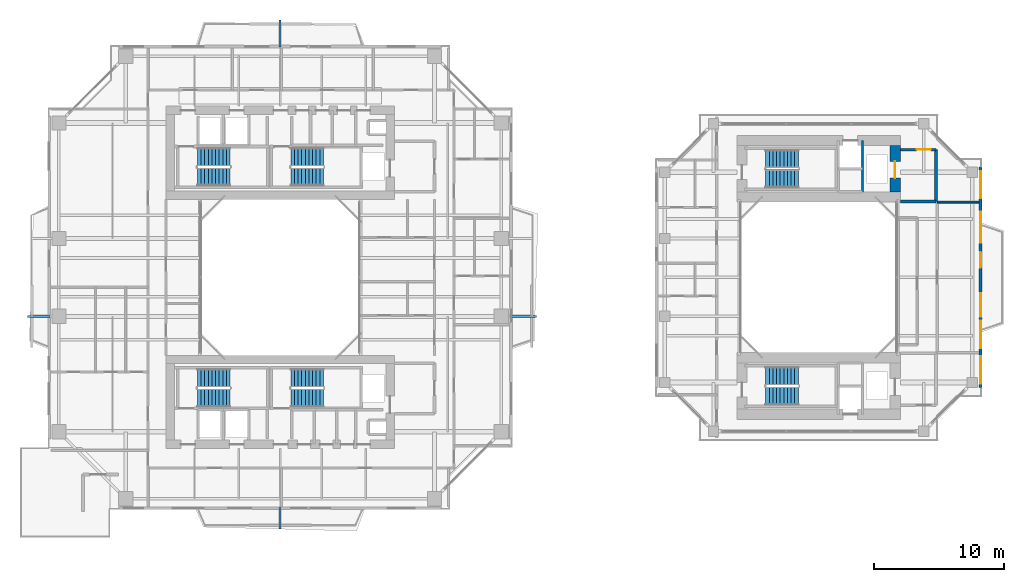
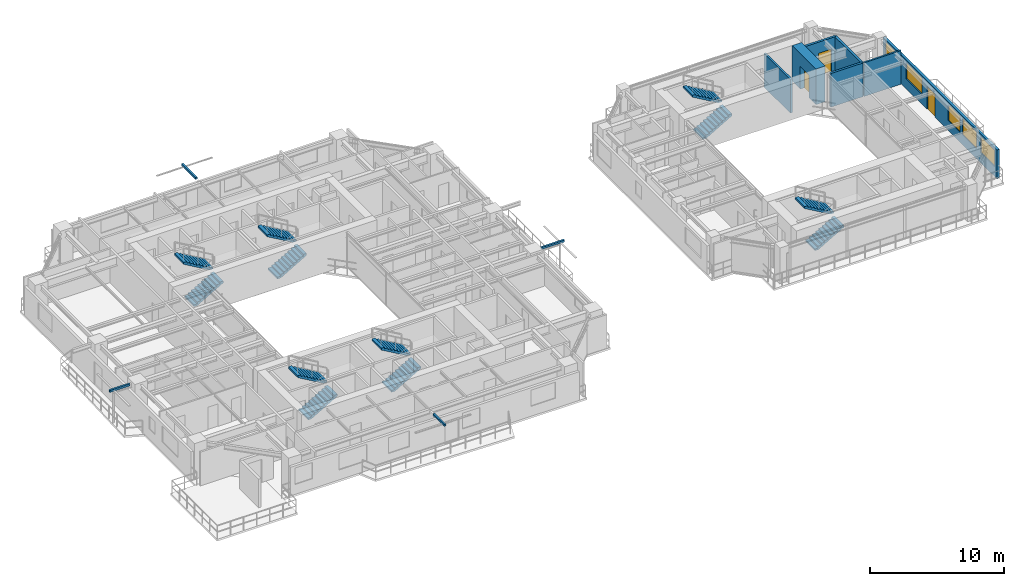
# One storey, part 18 of 23: 12 stair flights, 7 walls, 5 windows, 4 discrete accessories, 3 doors, 8 openings, 6 elements without a shape of their own.
"""IFC4 building model written with IfcOpenShell, lengths in metres."""

from ifc_helpers import new_model, si_unit, direction, frame, frame_2d, origin, origin_2d, place, context, subcontext, project, spatial, polyline, rectangle, outline, extrude, source, transform, mapped, material, layer, layer_set, type_object, element, fill, aggregate, save


model = new_model("IFC4")

# Units and contexts
model_context = context("Model", 3, precision=1e-05, world=origin(), true_north=direction((0.0, 1.0)))
body_context = subcontext(model_context, "Body", "Model", "MODEL_VIEW")
ifc_project = project(units=[si_unit("LENGTHUNIT", "METRE"), si_unit("AREAUNIT", "SQUARE_METRE"), si_unit("VOLUMEUNIT", "CUBIC_METRE"), si_unit("PLANEANGLEUNIT", "RADIAN"), si_unit("MASSUNIT", "GRAM", prefix="KILO"), si_unit("THERMODYNAMICTEMPERATUREUNIT", "KELVIN"), si_unit("POWERUNIT", "WATT")], contexts=[model_context])

# Site, building, storey
site_placement = place(None, origin())
site = spatial("IfcSite", under=ifc_project, at=site_placement, CompositionType="ELEMENT")
building_placement = place(site_placement, origin())
building = spatial("IfcBuilding", under=site, at=building_placement, Name="Qiaomeng Ring Towers", CompositionType="ELEMENT")
storey_placement = place(building_placement, frame((0.0, 0.0, 103.5)))
storey = spatial("IfcBuildingStorey", under=building, at=storey_placement, Name="L29", CompositionType="ELEMENT", Elevation=103.5)

# Wall, openings, windows, door
ifc_material_1 = material(Name="Precast concrete C40", Category="concrete")
ifc_layer_1 = layer(ifc_material_1, 0.219970703125, Name="Precast concrete C40")
ifc_layer_set_1 = layer_set([ifc_layer_1], Name="Precast concrete C40")
wall_type_1 = type_object("IfcWallType", Name="ARC-WL-EW2", PredefinedType="STANDARD", material=ifc_layer_set_1)
wall_1_placement = place(storey_placement, frame((72.989990234375, 14.5, 0.0), z_axis=(0.0, 0.0, 1.0), x_axis=(0.0, 1.0, 0.0)))
wall_1 = element("IfcWall", 1, at=wall_1_placement, inside=storey, type_object=wall_type_1, Name="L29 Companion East Wall", PredefinedType="STANDARD", context=body_context, shape_type="SweptSolid", body=[
    extrude(rectangle(XDim=17.0, YDim=0.219970703125, at=frame_2d((8.5, 0.0))), origin(), (0.0, 0.0, 1.0), 2.610107421875),
])
opening_1_placement = place(wall_1_placement, frame((9.25, 0.0, 0.0)))
opening_1 = element("IfcOpeningElement", 2, at=opening_1_placement, cuts=wall_1, Name="Opening BD1", PredefinedType="OPENING", context=body_context, shape_type="SweptSolid", body=[
    extrude(rectangle(XDim=1.199951171875, YDim=2.10009765625, at=frame_2d((0.60009765625, 1.050048828125))), frame((0.0, 0.119873046875, 0.0), z_axis=(0.0, -1.0, 0.0), x_axis=(1.0, 0.0, 0.0)), (0.0, 0.0, 1.0), 0.239990234375),
])
opening_2_placement = place(wall_1_placement, frame((0.3076171875, 0.0, 0.89990234375)))
opening_2 = element("IfcOpeningElement", 3, at=opening_2_placement, cuts=wall_1, Name="Opening WN4", PredefinedType="OPENING", context=body_context, shape_type="SweptSolid", body=[
    extrude(rectangle(XDim=2.10009765625, YDim=1.5, at=frame_2d((1.050048828125, 0.75))), frame((0.0, 0.119873046875, 0.0), z_axis=(0.0, -1.0, 0.0), x_axis=(1.0, 0.0, 0.0)), (0.0, 0.0, 1.0), 0.239990234375),
])
opening_3_placement = place(wall_1_placement, frame((5.47509765625, 0.0, 0.89990234375)))
opening_3 = element("IfcOpeningElement", 4, at=opening_3_placement, cuts=wall_1, Name="Opening WN1", PredefinedType="OPENING", context=body_context, shape_type="SweptSolid", body=[
    extrude(rectangle(XDim=1.800048828125, YDim=1.449951171875, at=frame_2d((0.89990234375, 0.72509765625))), frame((0.0, 0.119873046875, 0.0), z_axis=(0.0, -1.0, 0.0), x_axis=(1.0, 0.0, 0.0)), (0.0, 0.0, 1.0), 0.239990234375),
])
opening_4_placement = place(wall_1_placement, frame((14.592529296875, 0.0, 0.89990234375)))
opening_4 = element("IfcOpeningElement", 5, at=opening_4_placement, cuts=wall_1, Name="Opening WN4", PredefinedType="OPENING", context=body_context, shape_type="SweptSolid", body=[
    extrude(rectangle(XDim=2.10009765625, YDim=1.5, at=frame_2d((1.050048828125, 0.75))), frame((0.0, 0.119873046875, 0.0), z_axis=(0.0, -1.0, 0.0), x_axis=(1.0, 0.0, 0.0)), (0.0, 0.0, 1.0), 0.239990234375),
])
opening_5_placement = place(wall_1_placement, frame((3.054931640625, 0.0, 0.89990234375)))
opening_5 = element("IfcOpeningElement", 6, at=opening_5_placement, cuts=wall_1, Name="Opening WN4", PredefinedType="OPENING", context=body_context, shape_type="SweptSolid", body=[
    extrude(rectangle(XDim=2.10009765625, YDim=1.5, at=frame_2d((1.050048828125, 0.75))), frame((0.0, 0.119873046875, 0.0), z_axis=(0.0, -1.0, 0.0), x_axis=(1.0, 0.0, 0.0)), (0.0, 0.0, 1.0), 0.239990234375),
])
opening_6_placement = place(wall_1_placement, frame((11.16748046875, 0.0, 0.89990234375)))
opening_6 = element("IfcOpeningElement", 7, at=opening_6_placement, cuts=wall_1, Name="Opening WN6", PredefinedType="OPENING", context=body_context, shape_type="SweptSolid", body=[
    extrude(rectangle(XDim=2.39990234375, YDim=1.5, at=frame_2d((1.199951171875, 0.75))), frame((0.0, 0.119873046875, 0.0), z_axis=(0.0, -1.0, 0.0), x_axis=(1.0, 0.0, 0.0)), (0.0, 0.0, 1.0), 0.239990234375),
])
ifc_material_2 = material(Name="Low-E dark-grey laminated double glazing", Category="glass")
window_type_1 = type_object("IfcWindowType", Name="ARC-WN-4", PartitioningType="TRIPLE_PANEL_VERTICAL", PredefinedType="WINDOW", material=ifc_material_2)
shared_shape_1 = source(origin(), body_context, "Body", "SweptSolid", [
    extrude(rectangle(XDim=2.10009765625, YDim=1.5, at=frame_2d((1.050048828125, 0.75))), frame((0.0, 0.030029296875, 0.0), z_axis=(0.0, -1.0, 0.0), x_axis=(1.0, 0.0, 0.0)), (0.0, 0.0, 1.0), 0.06005859375),
])
window_1_placement = place(opening_2_placement, origin())
window_1 = element("IfcWindow", 8, at=window_1_placement, inside=storey, type_object=window_type_1, Name="L29 Exterior Window WN6", OverallHeight=1.5, OverallWidth=2.10009765625, PartitioningType="TRIPLE_PANEL_VERTICAL", PredefinedType="WINDOW", context=body_context, shape_type="MappedRepresentation", body=[
    mapped(shared_shape_1, transform((0.0, 0.0, 0.0), x_axis=(1.0, 0.0, 0.0), y_axis=(0.0, 1.0, 0.0), z_axis=(0.0, 0.0, 1.0), scale=1.0)),
])
fill(opening_2, window_1)
window_2_placement = place(opening_4_placement, origin())
window_2 = element("IfcWindow", 9, at=window_2_placement, inside=storey, type_object=window_type_1, Name="L29 Exterior Window WN4", OverallHeight=1.5, OverallWidth=2.10009765625, PartitioningType="TRIPLE_PANEL_VERTICAL", PredefinedType="WINDOW", context=body_context, shape_type="MappedRepresentation", body=[
    mapped(shared_shape_1, transform((0.0, 0.0, 0.0), x_axis=(1.0, 0.0, 0.0), y_axis=(0.0, 1.0, 0.0), z_axis=(0.0, 0.0, 1.0), scale=1.0)),
])
fill(opening_4, window_2)
window_3_placement = place(opening_5_placement, origin())
window_3 = element("IfcWindow", 10, at=window_3_placement, inside=storey, type_object=window_type_1, Name="L29 Exterior Window WN4", OverallHeight=1.5, OverallWidth=2.10009765625, PartitioningType="TRIPLE_PANEL_VERTICAL", PredefinedType="WINDOW", context=body_context, shape_type="MappedRepresentation", body=[
    mapped(shared_shape_1, transform((0.0, 0.0, 0.0), x_axis=(1.0, 0.0, 0.0), y_axis=(0.0, 1.0, 0.0), z_axis=(0.0, 0.0, 1.0), scale=1.0)),
])
fill(opening_5, window_3)
window_type_2 = type_object("IfcWindowType", Name="ARC-WN-1", PartitioningType="DOUBLE_PANEL_VERTICAL", PredefinedType="WINDOW", material=ifc_material_2)
shared_shape_2 = source(origin(), body_context, "Body", "SweptSolid", [
    extrude(rectangle(XDim=1.800048828125, YDim=1.449951171875, at=frame_2d((0.89990234375, 0.72509765625))), frame((0.0, 0.030029296875, 0.0), z_axis=(0.0, -1.0, 0.0), x_axis=(1.0, 0.0, 0.0)), (0.0, 0.0, 1.0), 0.06005859375),
])
window_4_placement = place(opening_3_placement, origin())
window_4 = element("IfcWindow", 11, at=window_4_placement, inside=storey, type_object=window_type_2, Name="L29 Exterior Window WN1", OverallHeight=1.449951171875, OverallWidth=1.800048828125, PartitioningType="DOUBLE_PANEL_VERTICAL", PredefinedType="WINDOW", context=body_context, shape_type="MappedRepresentation", body=[
    mapped(shared_shape_2, transform((0.0, 0.0, 0.0), x_axis=(1.0, 0.0, 0.0), y_axis=(0.0, 1.0, 0.0), z_axis=(0.0, 0.0, 1.0), scale=1.0)),
])
fill(opening_3, window_4)
door_type_1 = type_object("IfcDoorType", Name="ARC-DR-BD1", OperationType="NOTDEFINED", PredefinedType="DOOR", material=ifc_material_2)
shared_shape_3 = source(origin(), body_context, "Body", "SweptSolid", [
    extrude(rectangle(XDim=1.199951171875, YDim=2.10009765625, at=frame_2d((0.60009765625, 1.050048828125))), frame((0.0, 0.02490234375, 0.0), z_axis=(0.0, -1.0, 0.0), x_axis=(1.0, 0.0, 0.0)), (0.0, 0.0, 1.0), 0.050048828125),
])
door_1_placement = place(opening_1_placement, origin())
door_1 = element("IfcDoor", 12, at=door_1_placement, inside=storey, type_object=door_type_1, Name="L29 Companion East Balcony Door", OperationType="SINGLE_SWING_LEFT", OverallHeight=2.10009765625, OverallWidth=1.199951171875, PredefinedType="DOOR", context=body_context, shape_type="MappedRepresentation", body=[
    mapped(shared_shape_3, transform((0.0, 0.0, 0.0), x_axis=(1.0, 0.0, 0.0), y_axis=(0.0, 1.0, 0.0), z_axis=(0.0, 0.0, 1.0), scale=1.0)),
])
fill(opening_1, door_1)
window_type_3 = type_object("IfcWindowType", Name="ARC-WN-6", PartitioningType="TRIPLE_PANEL_VERTICAL", PredefinedType="WINDOW", material=ifc_material_2)
shared_shape_4 = source(origin(), body_context, "Body", "SweptSolid", [
    extrude(rectangle(XDim=2.39990234375, YDim=1.5, at=frame_2d((1.199951171875, 0.75))), frame((0.0, 0.030029296875, 0.0), z_axis=(0.0, -1.0, 0.0), x_axis=(1.0, 0.0, 0.0)), (0.0, 0.0, 1.0), 0.06005859375),
])
window_5_placement = place(opening_6_placement, origin())
window_5 = element("IfcWindow", 13, at=window_5_placement, inside=storey, type_object=window_type_3, Name="L29 Exterior Window WN6", OverallHeight=1.5, OverallWidth=2.39990234375, PartitioningType="TRIPLE_PANEL_VERTICAL", PredefinedType="WINDOW", context=body_context, shape_type="MappedRepresentation", body=[
    mapped(shared_shape_4, transform((0.0, 0.0, 0.0), x_axis=(1.0, 0.0, 0.0), y_axis=(0.0, 1.0, 0.0), z_axis=(0.0, 0.0, 1.0), scale=1.0)),
])
fill(opening_6, window_5)

# Walls
ifc_material_3 = material(Name="Autoclaved aerated concrete block", Category="concrete")
ifc_layer_2 = layer(ifc_material_3, 0.199951171875, Name="Autoclaved aerated concrete block")
ifc_layer_set_2 = layer_set([ifc_layer_2], Name="Autoclaved aerated concrete block")
wall_type_2 = type_object("IfcWallType", Name="ARC-WL-PW1", PredefinedType="PARTITIONING", material=ifc_layer_set_2)
wall_2_placement = place(storey_placement, frame((66.800048828125, 28.85009765625, 0.0), z_axis=(0.0, 0.0, 1.0), x_axis=(1.0, 0.0, 0.0)))
element("IfcWall", 14, at=wall_2_placement, inside=storey, type_object=wall_type_2, Name="L29 Interior Wall PW1", PredefinedType="PARTITIONING", context=body_context, shape_type="SweptSolid", body=[
    extrude(rectangle(XDim=2.75, YDim=0.199951171875, at=frame_2d((1.375, 0.0))), origin(), (0.0, 0.0, 1.0), 3.070068359375),
])
wall_3_placement = place(storey_placement, frame((69.550048828125, 28.85009765625, 0.0), z_axis=(0.0, 0.0, 1.0), x_axis=(0.0, 1.0, 0.0)))
element("IfcWall", 15, at=wall_3_placement, inside=storey, type_object=wall_type_2, Name="L29 Interior Wall PW1", PredefinedType="PARTITIONING", context=body_context, shape_type="SweptSolid", body=[
    extrude(rectangle(XDim=4.0, YDim=0.199951171875, at=frame_2d((2.0, 0.0))), origin(), (0.0, 0.0, 1.0), 3.070068359375),
])

# Wall, opening, door
wall_4_placement = place(storey_placement, frame((66.800048828125, 32.85009765625, 0.0), z_axis=(0.0, 0.0, 1.0), x_axis=(1.0, 0.0, 0.0)))
wall_4 = element("IfcWall", 16, at=wall_4_placement, inside=storey, type_object=wall_type_2, Name="L29 Interior Wall PW1", PredefinedType="PARTITIONING", context=body_context, shape_type="SweptSolid", body=[
    extrude(rectangle(XDim=2.75, YDim=0.199951171875, at=frame_2d((1.375, 0.0))), origin(), (0.0, 0.0, 1.0), 3.070068359375),
])
opening_7_placement = place(wall_4_placement, frame((1.25, 0.0, 0.0)))
opening_7 = element("IfcOpeningElement", 17, at=opening_7_placement, cuts=wall_4, Name="Opening FD3", PredefinedType="OPENING", context=body_context, shape_type="SweptSolid", body=[
    extrude(rectangle(XDim=1.10009765625, YDim=2.050048828125, at=frame_2d((0.550048828125, 1.02490234375))), frame((0.0, 0.10986328125, 0.0), z_axis=(0.0, -1.0, 0.0), x_axis=(1.0, 0.0, 0.0)), (0.0, 0.0, 1.0), 0.219970703125),
])
ifc_material_4 = material(Name="Galvanised steel", Category="steel")
door_type_2 = type_object("IfcDoorType", Name="ARC-DR-FD3", OperationType="NOTDEFINED", PredefinedType="DOOR", material=ifc_material_4)
shared_shape_5 = source(origin(), body_context, "Body", "SweptSolid", [
    extrude(rectangle(XDim=1.10009765625, YDim=2.050048828125, at=frame_2d((0.550048828125, 1.02490234375))), frame((0.0, 0.02490234375, 0.0), z_axis=(0.0, -1.0, 0.0), x_axis=(1.0, 0.0, 0.0)), (0.0, 0.0, 1.0), 0.050048828125),
])
door_2_placement = place(opening_7_placement, origin())
door_2 = element("IfcDoor", 18, at=door_2_placement, inside=storey, type_object=door_type_2, Name="L29 Door FD3", OperationType="SINGLE_SWING_LEFT", OverallHeight=2.050048828125, OverallWidth=1.10009765625, PredefinedType="DOOR", context=body_context, shape_type="MappedRepresentation", body=[
    mapped(shared_shape_5, transform((0.0, 0.0, 0.0), x_axis=(1.0, 0.0, 0.0), y_axis=(0.0, 1.0, 0.0), z_axis=(0.0, 0.0, 1.0), scale=1.0)),
])
fill(opening_7, door_2)

# Walls
ifc_material_5 = material(Name="Gypsum fireboard steel-stud partition", Category="steel")
ifc_layer_3 = layer(ifc_material_5, 0.14990234375, Name="Gypsum fireboard steel-stud partition")
ifc_layer_set_3 = layer_set([ifc_layer_3], Name="Gypsum fireboard steel-stud partition")
wall_type_3 = type_object("IfcWallType", Name="ARC-WL-PW3", PredefinedType="PARTITIONING", material=ifc_layer_set_3)
wall_5_placement = place(storey_placement, frame((69.64990234375, 28.800048828125, 0.0), z_axis=(0.0, 0.0, 1.0), x_axis=(1.0, 0.0, 0.0)))
element("IfcWall", 19, at=wall_5_placement, inside=storey, type_object=wall_type_3, Name="L29 Interior Wall PW3", PredefinedType="PARTITIONING", context=body_context, shape_type="SweptSolid", body=[
    extrude(rectangle(XDim=3.2001953125, YDim=0.14990234375, at=frame_2d((1.60009765625, 0.0))), origin(), (0.0, 0.0, 1.0), 3.070068359375),
])
ifc_material_6 = material(Name="Concrete C40", Category="concrete")
ifc_layer_4 = layer(ifc_material_6, 0.199951171875, Name="Concrete C40")
ifc_layer_set_4 = layer_set([ifc_layer_4], Name="Concrete C40")
wall_type_4 = type_object("IfcWallType", Name="STR-WL-STSHAFT", PredefinedType="SHEAR", material=ifc_layer_set_4)
wall_6_placement = place(storey_placement, frame((63.8798828125, 29.60009765625, 0.0), z_axis=(0.0, 0.0, 1.0), x_axis=(0.0, 1.0, 0.0)))
element("IfcWall", 20, at=wall_6_placement, inside=storey, type_object=wall_type_4, Name="L29 Companion Lift Shaft East Wall N", PredefinedType="SHEAR", context=body_context, shape_type="SweptSolid", body=[
    extrude(rectangle(XDim=3.949951171875, YDim=0.179931640625, at=frame_2d((1.97509765625, 0.0))), origin(), (0.0, 0.0, 1.0), 3.070068359375),
])

# Wall, opening, door
ifc_material_7 = material(Name="Concrete C60", Category="concrete")
ifc_layer_5 = layer(ifc_material_7, 0.800048828125, Name="Concrete C60")
ifc_layer_set_5 = layer_set([ifc_layer_5], Name="Concrete C60")
wall_type_5 = type_object("IfcWallType", Name="STR-WL-SW1", PredefinedType="SHEAR", material=ifc_layer_set_5)
wall_7_placement = place(storey_placement, frame((66.39990234375, 29.60009765625, 0.0), z_axis=(0.0, 0.0, 1.0), x_axis=(0.0, 1.0, 0.0)))
wall_7 = element("IfcWall", 21, at=wall_7_placement, inside=storey, type_object=wall_type_5, Name="L29 T2NC east core shear wall", PredefinedType="SHEAR", context=body_context, shape_type="SweptSolid", body=[
    extrude(rectangle(XDim=3.5498046875, YDim=0.800048828125, at=frame_2d((1.77490234375, 0.0))), origin(), (0.0, 0.0, 1.0), 3.25),
])
opening_8_placement = place(wall_7_placement, frame((1.050048828125, 0.0, 0.0)))
opening_8 = element("IfcOpeningElement", 22, at=opening_8_placement, cuts=wall_7, Name="Opening LD2", PredefinedType="OPENING", context=body_context, shape_type="SweptSolid", body=[
    extrude(rectangle(XDim=1.300048828125, YDim=2.050048828125, at=frame_2d((0.64990234375, 1.02490234375))), frame((0.0, 0.409912109375, 0.0), z_axis=(0.0, -1.0, 0.0), x_axis=(1.0, 0.0, 0.0)), (0.0, 0.0, 1.0), 0.820068359375),
])
ifc_material_8 = material(Name="Stainless steel 316", Category="steel")
door_type_3 = type_object("IfcDoorType", Name="ARC-DR-LD2", OperationType="NOTDEFINED", PredefinedType="DOOR", material=ifc_material_8)
shared_shape_6 = source(origin(), body_context, "Body", "SweptSolid", [
    extrude(rectangle(XDim=1.300048828125, YDim=2.050048828125, at=frame_2d((0.64990234375, 1.02490234375))), frame((0.0, 0.02490234375, 0.0), z_axis=(0.0, -1.0, 0.0), x_axis=(1.0, 0.0, 0.0)), (0.0, 0.0, 1.0), 0.050048828125),
])
door_3_placement = place(opening_8_placement, origin())
door_3 = element("IfcDoor", 23, at=door_3_placement, inside=storey, type_object=door_type_3, Name="L29 Firefighting Lift FL3 Landing Door", OperationType="SLIDING_TO_LEFT", OverallHeight=2.050048828125, OverallWidth=1.300048828125, PredefinedType="DOOR", context=body_context, shape_type="MappedRepresentation", body=[
    mapped(shared_shape_6, transform((0.0, 0.0, 0.0), x_axis=(1.0, 0.0, 0.0), y_axis=(0.0, 1.0, 0.0), z_axis=(0.0, 0.0, 1.0), scale=1.0)),
])
fill(opening_8, door_3)

# Stair, stair flights
stair_type = type_object("IfcStairType", Name="ARC-ST-325", PredefinedType="HALF_TURN_STAIR", material=ifc_material_1)
stair_1_placement = place(storey_placement, origin())
stair_1 = element("IfcStair", 24, at=stair_1_placement, inside=storey, type_object=stair_type, Name="L29 Tower 1 North Stair 1", PredefinedType="HALF_TURN_STAIR")
stair_flight_type = type_object("IfcStairFlightType", Name="ARC-ST-325-FL", PredefinedType="STRAIGHT", material=ifc_material_1)
shared_shape_7 = source(origin(), body_context, "Body", "SweptSolid", [
    extrude(outline(polyline([(0.0, 0.0), (0.0, 0.16259765625), (0.280029296875, 0.16259765625), (0.280029296875, 0.324951171875), (0.56005859375, 0.324951171875), (0.56005859375, 0.487548828125), (0.840087890625, 0.487548828125), (0.840087890625, 0.64990234375), (1.1201171875, 0.64990234375), (1.1201171875, 0.8125), (1.39990234375, 0.8125), (1.39990234375, 0.97509765625), (1.679931640625, 0.97509765625), (1.679931640625, 1.137451171875), (1.9599609375, 1.137451171875), (1.9599609375, 1.300048828125), (2.239990234375, 1.300048828125), (2.239990234375, 1.46240234375), (2.52001953125, 1.46240234375), (2.52001953125, 1.625), (2.52001953125, 1.2890625), (0.298583984375, 0.0), (0.0, 0.0)])), frame((0.0, 0.699951171875, 0.0), z_axis=(0.0, -1.0, 0.0), x_axis=(1.0, 0.0, 0.0)), (0.0, 0.0, 1.0), 1.39990234375),
])
stair_flight_1_placement = place(storey_placement, frame((12.6201171875, 30.75, 0.0), z_axis=(0.0, 0.0, 1.0), x_axis=(1.0, 0.0, 0.0)))
stair_flight_1 = element("IfcStairFlight", 25, at=stair_flight_1_placement, type_object=stair_flight_type, Name="ST1 flight 1", NumberOfRisers=10, NumberOfTreads=9, PredefinedType="STRAIGHT", RiserHeight=0.1625, TreadLength=0.28, context=body_context, shape_type="MappedRepresentation", body=[
    mapped(shared_shape_7, transform((0.0, 0.0, 0.0), x_axis=(1.0, 0.0, 0.0), y_axis=(0.0, 1.0, 0.0), z_axis=(0.0, 0.0, 1.0), scale=1.0)),
])
stair_flight_2_placement = place(storey_placement, frame((15.139892578125, 32.2900390625, 1.625), z_axis=(0.0, 0.0, 1.0), x_axis=(-1.0, 0.0, 0.0)))
stair_flight_2 = element("IfcStairFlight", 26, at=stair_flight_2_placement, type_object=stair_flight_type, Name="ST1 flight 2", NumberOfRisers=10, NumberOfTreads=9, PredefinedType="STRAIGHT", RiserHeight=0.1625, TreadLength=0.28, context=body_context, shape_type="MappedRepresentation", body=[
    mapped(shared_shape_7, transform((0.0, 0.0, 0.0), x_axis=(1.0, 0.0, 0.0), y_axis=(0.0, 1.0, 0.0), z_axis=(0.0, 0.0, 1.0), scale=1.0)),
])
aggregate(stair_1, [stair_flight_1, stair_flight_2])

stair_2_placement = place(storey_placement, origin())
stair_2 = element("IfcStair", 27, at=stair_2_placement, inside=storey, type_object=stair_type, Name="L29 Tower 1 North Stair 2", PredefinedType="HALF_TURN_STAIR")
stair_flight_3_placement = place(storey_placement, frame((19.820068359375, 30.75, 0.0), z_axis=(0.0, 0.0, 1.0), x_axis=(1.0, 0.0, 0.0)))
stair_flight_3 = element("IfcStairFlight", 28, at=stair_flight_3_placement, type_object=stair_flight_type, Name="ST2 flight 1", NumberOfRisers=10, NumberOfTreads=9, PredefinedType="STRAIGHT", RiserHeight=0.1625, TreadLength=0.28, context=body_context, shape_type="MappedRepresentation", body=[
    mapped(shared_shape_7, transform((0.0, 0.0, 0.0), x_axis=(1.0, 0.0, 0.0), y_axis=(0.0, 1.0, 0.0), z_axis=(0.0, 0.0, 1.0), scale=1.0)),
])
stair_flight_4_placement = place(storey_placement, frame((22.340087890625, 32.2900390625, 1.625), z_axis=(0.0, 0.0, 1.0), x_axis=(-1.0, 0.0, 0.0)))
stair_flight_4 = element("IfcStairFlight", 29, at=stair_flight_4_placement, type_object=stair_flight_type, Name="ST2 flight 2", NumberOfRisers=10, NumberOfTreads=9, PredefinedType="STRAIGHT", RiserHeight=0.1625, TreadLength=0.28, context=body_context, shape_type="MappedRepresentation", body=[
    mapped(shared_shape_7, transform((0.0, 0.0, 0.0), x_axis=(1.0, 0.0, 0.0), y_axis=(0.0, 1.0, 0.0), z_axis=(0.0, 0.0, 1.0), scale=1.0)),
])
aggregate(stair_2, [stair_flight_3, stair_flight_4])

stair_3_placement = place(storey_placement, origin())
stair_3 = element("IfcStair", 30, at=stair_3_placement, inside=storey, type_object=stair_type, Name="L29 Tower 1 South Stair 3", PredefinedType="HALF_TURN_STAIR")
stair_flight_5_placement = place(storey_placement, frame((12.6201171875, 13.7099609375, 0.0), z_axis=(0.0, 0.0, 1.0), x_axis=(1.0, 0.0, 0.0)))
stair_flight_5 = element("IfcStairFlight", 31, at=stair_flight_5_placement, type_object=stair_flight_type, Name="ST3 flight 1", NumberOfRisers=10, NumberOfTreads=9, PredefinedType="STRAIGHT", RiserHeight=0.1625, TreadLength=0.28, context=body_context, shape_type="MappedRepresentation", body=[
    mapped(shared_shape_7, transform((0.0, 0.0, 0.0), x_axis=(1.0, 0.0, 0.0), y_axis=(0.0, 1.0, 0.0), z_axis=(0.0, 0.0, 1.0), scale=1.0)),
])
stair_flight_6_placement = place(storey_placement, frame((15.139892578125, 15.25, 1.625), z_axis=(0.0, 0.0, 1.0), x_axis=(-1.0, 0.0, 0.0)))
stair_flight_6 = element("IfcStairFlight", 32, at=stair_flight_6_placement, type_object=stair_flight_type, Name="ST3 flight 2", NumberOfRisers=10, NumberOfTreads=9, PredefinedType="STRAIGHT", RiserHeight=0.1625, TreadLength=0.28, context=body_context, shape_type="MappedRepresentation", body=[
    mapped(shared_shape_7, transform((0.0, 0.0, 0.0), x_axis=(1.0, 0.0, 0.0), y_axis=(0.0, 1.0, 0.0), z_axis=(0.0, 0.0, 1.0), scale=1.0)),
])
aggregate(stair_3, [stair_flight_5, stair_flight_6])

stair_4_placement = place(storey_placement, origin())
stair_4 = element("IfcStair", 33, at=stair_4_placement, inside=storey, type_object=stair_type, Name="L29 Tower 1 South Stair 4", PredefinedType="HALF_TURN_STAIR")
stair_flight_7_placement = place(storey_placement, frame((19.820068359375, 13.7099609375, 0.0), z_axis=(0.0, 0.0, 1.0), x_axis=(1.0, 0.0, 0.0)))
stair_flight_7 = element("IfcStairFlight", 34, at=stair_flight_7_placement, type_object=stair_flight_type, Name="ST4 flight 1", NumberOfRisers=10, NumberOfTreads=9, PredefinedType="STRAIGHT", RiserHeight=0.1625, TreadLength=0.28, context=body_context, shape_type="MappedRepresentation", body=[
    mapped(shared_shape_7, transform((0.0, 0.0, 0.0), x_axis=(1.0, 0.0, 0.0), y_axis=(0.0, 1.0, 0.0), z_axis=(0.0, 0.0, 1.0), scale=1.0)),
])
stair_flight_8_placement = place(storey_placement, frame((22.340087890625, 15.25, 1.625), z_axis=(0.0, 0.0, 1.0), x_axis=(-1.0, 0.0, 0.0)))
stair_flight_8 = element("IfcStairFlight", 35, at=stair_flight_8_placement, type_object=stair_flight_type, Name="ST4 flight 2", NumberOfRisers=10, NumberOfTreads=9, PredefinedType="STRAIGHT", RiserHeight=0.1625, TreadLength=0.28, context=body_context, shape_type="MappedRepresentation", body=[
    mapped(shared_shape_7, transform((0.0, 0.0, 0.0), x_axis=(1.0, 0.0, 0.0), y_axis=(0.0, 1.0, 0.0), z_axis=(0.0, 0.0, 1.0), scale=1.0)),
])
aggregate(stair_4, [stair_flight_7, stair_flight_8])

stair_5_placement = place(storey_placement, origin())
stair_5 = element("IfcStair", 36, at=stair_5_placement, inside=storey, type_object=stair_type, Name="L29 Companion North Stair 5", PredefinedType="HALF_TURN_STAIR")
stair_flight_9_placement = place(storey_placement, frame((56.419921875, 30.60009765625, 0.0), z_axis=(0.0, 0.0, 1.0), x_axis=(1.0, 0.0, 0.0)))
stair_flight_9 = element("IfcStairFlight", 37, at=stair_flight_9_placement, type_object=stair_flight_type, Name="ST5 flight 1", NumberOfRisers=10, NumberOfTreads=9, PredefinedType="STRAIGHT", RiserHeight=0.1625, TreadLength=0.28, context=body_context, shape_type="MappedRepresentation", body=[
    mapped(shared_shape_7, transform((0.0, 0.0, 0.0), x_axis=(1.0, 0.0, 0.0), y_axis=(0.0, 1.0, 0.0), z_axis=(0.0, 0.0, 1.0), scale=1.0)),
])
stair_flight_10_placement = place(storey_placement, frame((58.93994140625, 32.139892578125, 1.625), z_axis=(0.0, 0.0, 1.0), x_axis=(-1.0, 0.0, 0.0)))
stair_flight_10 = element("IfcStairFlight", 38, at=stair_flight_10_placement, type_object=stair_flight_type, Name="ST5 flight 2", NumberOfRisers=10, NumberOfTreads=9, PredefinedType="STRAIGHT", RiserHeight=0.1625, TreadLength=0.28, context=body_context, shape_type="MappedRepresentation", body=[
    mapped(shared_shape_7, transform((0.0, 0.0, 0.0), x_axis=(1.0, 0.0, 0.0), y_axis=(0.0, 1.0, 0.0), z_axis=(0.0, 0.0, 1.0), scale=1.0)),
])
aggregate(stair_5, [stair_flight_9, stair_flight_10])

stair_6_placement = place(storey_placement, origin())
stair_6 = element("IfcStair", 39, at=stair_6_placement, inside=storey, type_object=stair_type, Name="L29 Companion South Stair 6", PredefinedType="HALF_TURN_STAIR")
stair_flight_11_placement = place(storey_placement, frame((56.419921875, 13.860107421875, 0.0), z_axis=(0.0, 0.0, 1.0), x_axis=(1.0, 0.0, 0.0)))
stair_flight_11 = element("IfcStairFlight", 40, at=stair_flight_11_placement, type_object=stair_flight_type, Name="ST6 flight 1", NumberOfRisers=10, NumberOfTreads=9, PredefinedType="STRAIGHT", RiserHeight=0.1625, TreadLength=0.28, context=body_context, shape_type="MappedRepresentation", body=[
    mapped(shared_shape_7, transform((0.0, 0.0, 0.0), x_axis=(1.0, 0.0, 0.0), y_axis=(0.0, 1.0, 0.0), z_axis=(0.0, 0.0, 1.0), scale=1.0)),
])
stair_flight_12_placement = place(storey_placement, frame((58.93994140625, 15.39990234375, 1.625), z_axis=(0.0, 0.0, 1.0), x_axis=(-1.0, 0.0, 0.0)))
stair_flight_12 = element("IfcStairFlight", 41, at=stair_flight_12_placement, type_object=stair_flight_type, Name="ST6 flight 2", NumberOfRisers=10, NumberOfTreads=9, PredefinedType="STRAIGHT", RiserHeight=0.1625, TreadLength=0.28, context=body_context, shape_type="MappedRepresentation", body=[
    mapped(shared_shape_7, transform((0.0, 0.0, 0.0), x_axis=(1.0, 0.0, 0.0), y_axis=(0.0, 1.0, 0.0), z_axis=(0.0, 0.0, 1.0), scale=1.0)),
])
aggregate(stair_6, [stair_flight_11, stair_flight_12])

# Discrete accessories
discrete_accessory_type = type_object("IfcDiscreteAccessoryType", Name="ARC-ACC-BRACKET", PredefinedType="BRACKET", material=ifc_material_8)
shared_shape_8 = source(origin(), body_context, "Body", "SweptSolid", [
    extrude(rectangle(XDim=0.159912109375, YDim=1.64990234375, at=origin_2d()), origin(), (0.0, 0.0, 1.0), 0.179931640625),
])
discrete_accessory_1_placement = place(storey_placement, frame((19.0, 4.425048828125, 2.89990234375), z_axis=(0.0, 0.0, 1.0), x_axis=(1.0, 0.0, 0.0)))
element("IfcDiscreteAccessory", 42, at=discrete_accessory_1_placement, inside=storey, type_object=discrete_accessory_type, Name="L29 Stainless Outer-Skin Tie Bracket S", PredefinedType="BRACKET", context=body_context, shape_type="MappedRepresentation", body=[
    mapped(shared_shape_8, transform((0.0, 0.0, 0.0), x_axis=(1.0, 0.0, 0.0), y_axis=(0.0, 1.0, 0.0), z_axis=(0.0, 0.0, 1.0), scale=1.0)),
])
shared_shape_9 = source(origin(), body_context, "Body", "SweptSolid", [
    extrude(rectangle(XDim=1.989990234375, YDim=0.159912109375, at=origin_2d()), origin(), (0.0, 0.0, 1.0), 0.179931640625),
])
discrete_accessory_2_placement = place(storey_placement, frame((37.7451171875, 20.0, 2.89990234375), z_axis=(0.0, 0.0, 1.0), x_axis=(1.0, 0.0, 0.0)))
element("IfcDiscreteAccessory", 43, at=discrete_accessory_2_placement, inside=storey, type_object=discrete_accessory_type, Name="L29 Stainless Outer-Skin Tie Bracket E", PredefinedType="BRACKET", context=body_context, shape_type="MappedRepresentation", body=[
    mapped(shared_shape_9, transform((0.0, 0.0, 0.0), x_axis=(1.0, 0.0, 0.0), y_axis=(0.0, 1.0, 0.0), z_axis=(0.0, 0.0, 1.0), scale=1.0)),
])
shared_shape_10 = source(origin(), body_context, "Body", "SweptSolid", [
    extrude(rectangle(XDim=0.159912109375, YDim=2.090087890625, at=origin_2d()), origin(), (0.0, 0.0, 1.0), 0.179931640625),
])
discrete_accessory_3_placement = place(storey_placement, frame((19.0, 41.794921875, 2.89990234375), z_axis=(0.0, 0.0, 1.0), x_axis=(1.0, 0.0, 0.0)))
element("IfcDiscreteAccessory", 44, at=discrete_accessory_3_placement, inside=storey, type_object=discrete_accessory_type, Name="L29 Stainless Outer-Skin Tie Bracket N", PredefinedType="BRACKET", context=body_context, shape_type="MappedRepresentation", body=[
    mapped(shared_shape_10, transform((0.0, 0.0, 0.0), x_axis=(1.0, 0.0, 0.0), y_axis=(0.0, 1.0, 0.0), z_axis=(0.0, 0.0, 1.0), scale=1.0)),
])
shared_shape_11 = source(origin(), body_context, "Body", "SweptSolid", [
    extrude(rectangle(XDim=1.72998046875, YDim=0.159912109375, at=origin_2d()), origin(), (0.0, 0.0, 1.0), 0.179931640625),
])
discrete_accessory_4_placement = place(storey_placement, frame((0.385009765625, 20.0, 2.89990234375), z_axis=(0.0, 0.0, 1.0), x_axis=(1.0, 0.0, 0.0)))
element("IfcDiscreteAccessory", 45, at=discrete_accessory_4_placement, inside=storey, type_object=discrete_accessory_type, Name="L29 Stainless Outer-Skin Tie Bracket W", PredefinedType="BRACKET", context=body_context, shape_type="MappedRepresentation", body=[
    mapped(shared_shape_11, transform((0.0, 0.0, 0.0), x_axis=(1.0, 0.0, 0.0), y_axis=(0.0, 1.0, 0.0), z_axis=(0.0, 0.0, 1.0), scale=1.0)),
])

save(model, "model.ifc")
